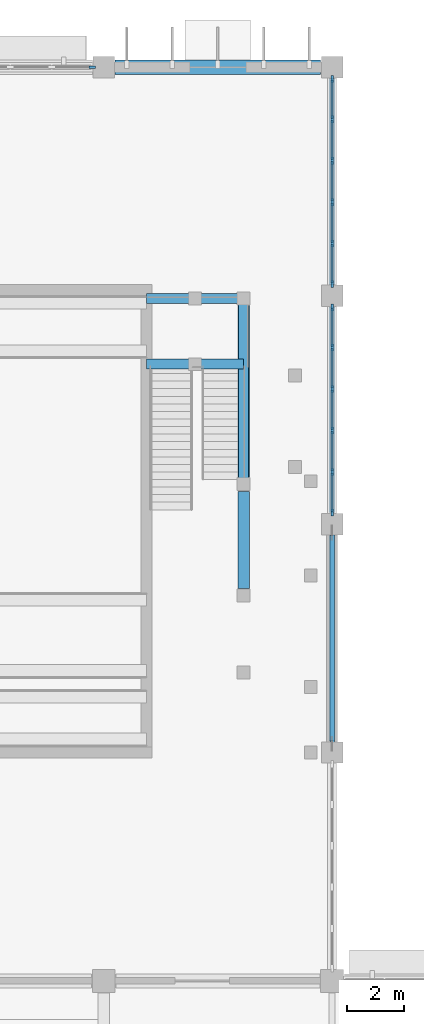
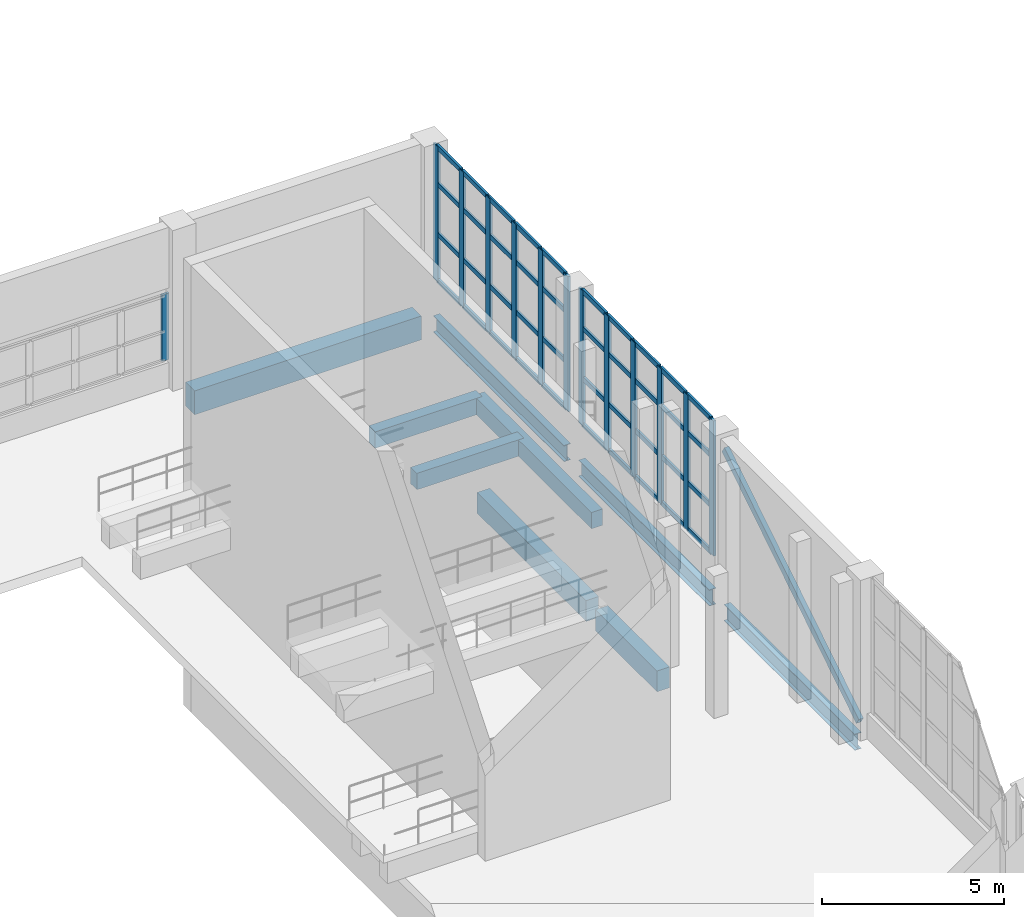
# One storey, part 36 of 103: 54 members, 9 beams, 3 elements without a shape of their own.
"""IFC4 building model written with IfcOpenShell, lengths in metres."""

from ifc_helpers import new_model, si_unit, direction, frame, origin, origin_2d, place, context, subcontext, project, spatial, rectangle, hollow_rectangle, i_section, extrude, material, layer, layer_set, material_profile, profile_set, type_object, element, aggregate, save


model = new_model("IFC4")

# Units and contexts
model_context = context("Model", 3, precision=1e-05, world=origin(), true_north=direction((0.0, 1.0)))
body_context = subcontext(model_context, "Body", "Model", "MODEL_VIEW")
ifc_project = project(units=[si_unit("LENGTHUNIT", "METRE"), si_unit("AREAUNIT", "SQUARE_METRE"), si_unit("VOLUMEUNIT", "CUBIC_METRE"), si_unit("PLANEANGLEUNIT", "RADIAN"), si_unit("MASSUNIT", "GRAM", prefix="KILO")], contexts=[model_context])

# Site, building, storey
site_placement = place(None, origin())
site = spatial("IfcSite", under=ifc_project, at=site_placement, CompositionType="ELEMENT")
building_placement = place(site_placement, origin())
building = spatial("IfcBuilding", under=site, at=building_placement, Name="Drelvana Railside Aquatics Centre", CompositionType="ELEMENT")
storey_placement = place(building_placement, origin())
storey = spatial("IfcBuildingStorey", under=building, at=storey_placement, Name="L00", CompositionType="ELEMENT", Elevation=0.0)

# Curtain wall, member
ifc_material_1 = material(Name="Bronze-anodised aluminium curtain wall", Category="aluminium")
ifc_layer_1 = layer(ifc_material_1, 0.199951171875, Name="Bronze-anodised aluminium curtain wall")
ifc_layer_set_1 = layer_set([ifc_layer_1], Name="Bronze-anodised aluminium curtain wall")
curtain_wall_type_1 = type_object("IfcCurtainWallType", Name="CW-Z1-SINE", PredefinedType="NOTDEFINED", material=ifc_layer_set_1)
curtain_wall_1_placement = place(storey_placement, origin())
curtain_wall_1 = element("IfcCurtainWall", 1, at=curtain_wall_1_placement, inside=storey, type_object=curtain_wall_type_1, Name="Curtain wall CW-01-037", PredefinedType="NOTDEFINED")
ifc_material_2 = material(Name="Bronze-anodised aluminium 6063-T6", Category="aluminium")
ifc_material_profile_1 = material_profile(ifc_material_2, rectangle(XDim=0.074951171875, YDim=0.22509765625, at=origin_2d()), Name="ALU-M 75x225")
ifc_profile_set_1 = profile_set([ifc_material_profile_1], Name="Bronze-anodised aluminium 6063-T6")
member_type_1 = type_object("IfcMemberType", Name="CW-Z1-SINE-MUL", PredefinedType="MULLION", material=ifc_profile_set_1)
member_1_placement = place(storey_placement, frame((63.593505859375, 116.0, 0.843994140625), z_axis=(0.0, 0.0, 1.0), x_axis=(0.0, 1.0, 0.0)))
member_1 = element("IfcMember", 2, at=member_1_placement, type_object=member_type_1, Name="CW-01 mullion 6", PredefinedType="MULLION", context=body_context, shape_type="SweptSolid", body=[
    extrude(rectangle(XDim=0.074951171875, YDim=0.22509765625, at=origin_2d()), origin(), (0.0, 0.0, 1.0), 2.236083984375),
])
aggregate(curtain_wall_1, [member_1])

# Curtain wall, members
ifc_layer_2 = layer(ifc_material_1, 0.2099609375, Name="Bronze-anodised aluminium curtain wall")
ifc_layer_set_2 = layer_set([ifc_layer_2], Name="Bronze-anodised aluminium curtain wall")
curtain_wall_type_2 = type_object("IfcCurtainWallType", Name="CW-Z7-DIVE", PredefinedType="NOTDEFINED", material=ifc_layer_set_2)
curtain_wall_2_placement = place(storey_placement, origin())
curtain_wall_2 = element("IfcCurtainWall", 3, at=curtain_wall_2_placement, inside=storey, type_object=curtain_wall_type_2, Name="Curtain wall CW-07-093", PredefinedType="NOTDEFINED")
ifc_material_profile_2 = material_profile(ifc_material_2, rectangle(XDim=0.080078125, YDim=0.25, at=origin_2d()), Name="ALU-M 80x250")
ifc_profile_set_2 = profile_set([ifc_material_profile_2], Name="Bronze-anodised aluminium 6063-T6")
member_type_2 = type_object("IfcMemberType", Name="CW-Z7-DIVE-MUL", PredefinedType="MULLION", material=ifc_profile_set_2)
member_2_placement = place(storey_placement, frame((72.0, 100.408935546875, 0.843994140625), z_axis=(0.0, 0.0, 1.0), x_axis=(-1.0, 0.0, 0.0)))
member_2 = element("IfcMember", 4, at=member_2_placement, type_object=member_type_2, Name="CW-07 mullion 1", PredefinedType="MULLION", context=body_context, shape_type="SweptSolid", body=[
    extrude(rectangle(XDim=0.080078125, YDim=0.25, at=origin_2d()), origin(), (0.0, 0.0, 1.0), 4.5458984375),
])
member_3_placement = place(storey_placement, frame((72.0, 101.8212890625, 0.843994140625), z_axis=(0.0, 0.0, 1.0), x_axis=(-1.0, 0.0, 0.0)))
member_3 = element("IfcMember", 5, at=member_3_placement, type_object=member_type_2, Name="CW-07 mullion 2", PredefinedType="MULLION", context=body_context, shape_type="SweptSolid", body=[
    extrude(rectangle(XDim=0.080078125, YDim=0.25, at=origin_2d()), origin(), (0.0, 0.0, 1.0), 4.5458984375),
])
member_4_placement = place(storey_placement, frame((72.0, 103.273681640625, 0.843994140625), z_axis=(0.0, 0.0, 1.0), x_axis=(-1.0, 0.0, 0.0)))
member_4 = element("IfcMember", 6, at=member_4_placement, type_object=member_type_2, Name="CW-07 mullion 3", PredefinedType="MULLION", context=body_context, shape_type="SweptSolid", body=[
    extrude(rectangle(XDim=0.080078125, YDim=0.25, at=origin_2d()), origin(), (0.0, 0.0, 1.0), 4.5458984375),
])
member_5_placement = place(storey_placement, frame((72.0, 104.726318359375, 0.843994140625), z_axis=(0.0, 0.0, 1.0), x_axis=(-1.0, 0.0, 0.0)))
member_5 = element("IfcMember", 7, at=member_5_placement, type_object=member_type_2, Name="CW-07 mullion 4", PredefinedType="MULLION", context=body_context, shape_type="SweptSolid", body=[
    extrude(rectangle(XDim=0.080078125, YDim=0.25, at=origin_2d()), origin(), (0.0, 0.0, 1.0), 4.5458984375),
])
member_6_placement = place(storey_placement, frame((72.0, 106.1787109375, 0.843994140625), z_axis=(0.0, 0.0, 1.0), x_axis=(-1.0, 0.0, 0.0)))
member_6 = element("IfcMember", 8, at=member_6_placement, type_object=member_type_2, Name="CW-07 mullion 5", PredefinedType="MULLION", context=body_context, shape_type="SweptSolid", body=[
    extrude(rectangle(XDim=0.080078125, YDim=0.25, at=origin_2d()), origin(), (0.0, 0.0, 1.0), 4.5458984375),
])
member_7_placement = place(storey_placement, frame((72.0, 107.591064453125, 0.843994140625), z_axis=(0.0, 0.0, 1.0), x_axis=(-1.0, 0.0, 0.0)))
member_7 = element("IfcMember", 9, at=member_7_placement, type_object=member_type_2, Name="CW-07 mullion 6", PredefinedType="MULLION", context=body_context, shape_type="SweptSolid", body=[
    extrude(rectangle(XDim=0.080078125, YDim=0.25, at=origin_2d()), origin(), (0.0, 0.0, 1.0), 4.5458984375),
])

curtain_wall_3_placement = place(storey_placement, origin())
curtain_wall_3 = element("IfcCurtainWall", 10, at=curtain_wall_3_placement, inside=storey, type_object=curtain_wall_type_2, Name="Curtain wall CW-07-096", PredefinedType="NOTDEFINED")
member_8_placement = place(storey_placement, frame((72.0, 108.408935546875, 0.843994140625), z_axis=(0.0, 0.0, 1.0), x_axis=(-1.0, 0.0, 0.0)))
member_8 = element("IfcMember", 11, at=member_8_placement, type_object=member_type_2, Name="CW-07 mullion 1", PredefinedType="MULLION", context=body_context, shape_type="SweptSolid", body=[
    extrude(rectangle(XDim=0.080078125, YDim=0.25, at=origin_2d()), origin(), (0.0, 0.0, 1.0), 4.5458984375),
])
member_9_placement = place(storey_placement, frame((72.0, 109.8212890625, 0.843994140625), z_axis=(0.0, 0.0, 1.0), x_axis=(-1.0, 0.0, 0.0)))
member_9 = element("IfcMember", 12, at=member_9_placement, type_object=member_type_2, Name="CW-07 mullion 2", PredefinedType="MULLION", context=body_context, shape_type="SweptSolid", body=[
    extrude(rectangle(XDim=0.080078125, YDim=0.25, at=origin_2d()), origin(), (0.0, 0.0, 1.0), 4.5458984375),
])
member_10_placement = place(storey_placement, frame((72.0, 111.273681640625, 0.843994140625), z_axis=(0.0, 0.0, 1.0), x_axis=(-1.0, 0.0, 0.0)))
member_10 = element("IfcMember", 13, at=member_10_placement, type_object=member_type_2, Name="CW-07 mullion 3", PredefinedType="MULLION", context=body_context, shape_type="SweptSolid", body=[
    extrude(rectangle(XDim=0.080078125, YDim=0.25, at=origin_2d()), origin(), (0.0, 0.0, 1.0), 4.5458984375),
])
member_11_placement = place(storey_placement, frame((72.0, 112.726318359375, 0.843994140625), z_axis=(0.0, 0.0, 1.0), x_axis=(-1.0, 0.0, 0.0)))
member_11 = element("IfcMember", 14, at=member_11_placement, type_object=member_type_2, Name="CW-07 mullion 4", PredefinedType="MULLION", context=body_context, shape_type="SweptSolid", body=[
    extrude(rectangle(XDim=0.080078125, YDim=0.25, at=origin_2d()), origin(), (0.0, 0.0, 1.0), 4.5458984375),
])
member_12_placement = place(storey_placement, frame((72.0, 114.1787109375, 0.843994140625), z_axis=(0.0, 0.0, 1.0), x_axis=(-1.0, 0.0, 0.0)))
member_12 = element("IfcMember", 15, at=member_12_placement, type_object=member_type_2, Name="CW-07 mullion 5", PredefinedType="MULLION", context=body_context, shape_type="SweptSolid", body=[
    extrude(rectangle(XDim=0.080078125, YDim=0.25, at=origin_2d()), origin(), (0.0, 0.0, 1.0), 4.5458984375),
])
member_13_placement = place(storey_placement, frame((72.0, 115.591064453125, 0.843994140625), z_axis=(0.0, 0.0, 1.0), x_axis=(-1.0, 0.0, 0.0)))
member_13 = element("IfcMember", 16, at=member_13_placement, type_object=member_type_2, Name="CW-07 mullion 6", PredefinedType="MULLION", context=body_context, shape_type="SweptSolid", body=[
    extrude(rectangle(XDim=0.080078125, YDim=0.25, at=origin_2d()), origin(), (0.0, 0.0, 1.0), 4.5458984375),
])

# Member
ifc_material_profile_3 = material_profile(ifc_material_2, rectangle(XDim=0.159912109375, YDim=0.070068359375, at=origin_2d()), Name="ALU-T 70x160")
ifc_profile_set_3 = profile_set([ifc_material_profile_3], Name="Bronze-anodised aluminium 6063-T6")
member_type_3 = type_object("IfcMemberType", Name="CW-Z7-DIVE-TRN", PredefinedType="USERDEFINED", material=ifc_profile_set_3)
member_14_placement = place(storey_placement, frame((72.0, 100.444091796875, 0.87890625), z_axis=(0.0, 1.0, 0.0), x_axis=(0.0, 0.0, 1.0)))
member_14 = element("IfcMember", 17, at=member_14_placement, type_object=member_type_3, Name="CW-07 transom 1.1", ObjectType="TRANSOM", PredefinedType="USERDEFINED", context=body_context, shape_type="SweptSolid", body=[
    extrude(rectangle(XDim=0.159912109375, YDim=0.070068359375, at=origin_2d()), origin(), (0.0, 0.0, 1.0), 1.34228515625),
])

member_15_placement = place(storey_placement, frame((72.0, 100.444091796875, 2.43505859375), z_axis=(0.0, 1.0, 0.0), x_axis=(0.0, 0.0, 1.0)))
member_15 = element("IfcMember", 18, at=member_15_placement, type_object=member_type_3, Name="CW-07 transom 1.2", ObjectType="TRANSOM", PredefinedType="USERDEFINED", context=body_context, shape_type="SweptSolid", body=[
    extrude(rectangle(XDim=0.159912109375, YDim=0.070068359375, at=origin_2d()), origin(), (0.0, 0.0, 1.0), 1.34228515625),
])

member_16_placement = place(storey_placement, frame((72.0, 100.444091796875, 4.116943359375), z_axis=(0.0, 1.0, 0.0), x_axis=(0.0, 0.0, 1.0)))
member_16 = element("IfcMember", 19, at=member_16_placement, type_object=member_type_3, Name="CW-07 transom 1.3", ObjectType="TRANSOM", PredefinedType="USERDEFINED", context=body_context, shape_type="SweptSolid", body=[
    extrude(rectangle(XDim=0.159912109375, YDim=0.070068359375, at=origin_2d()), origin(), (0.0, 0.0, 1.0), 1.34228515625),
])

member_17_placement = place(storey_placement, frame((72.0, 100.444091796875, 5.35498046875), z_axis=(0.0, 1.0, 0.0), x_axis=(0.0, 0.0, 1.0)))
member_17 = element("IfcMember", 20, at=member_17_placement, type_object=member_type_3, Name="CW-07 transom 1.4", ObjectType="TRANSOM", PredefinedType="USERDEFINED", context=body_context, shape_type="SweptSolid", body=[
    extrude(rectangle(XDim=0.159912109375, YDim=0.070068359375, at=origin_2d()), origin(), (0.0, 0.0, 1.0), 1.34228515625),
])

member_18_placement = place(storey_placement, frame((72.0, 101.8564453125, 0.87890625), z_axis=(0.0, 1.0, 0.0), x_axis=(0.0, 0.0, 1.0)))
member_18 = element("IfcMember", 21, at=member_18_placement, type_object=member_type_3, Name="CW-07 transom 2.1", ObjectType="TRANSOM", PredefinedType="USERDEFINED", context=body_context, shape_type="SweptSolid", body=[
    extrude(rectangle(XDim=0.159912109375, YDim=0.070068359375, at=origin_2d()), origin(), (0.0, 0.0, 1.0), 1.38232421875),
])

member_19_placement = place(storey_placement, frame((72.0, 101.8564453125, 2.43505859375), z_axis=(0.0, 1.0, 0.0), x_axis=(0.0, 0.0, 1.0)))
member_19 = element("IfcMember", 22, at=member_19_placement, type_object=member_type_3, Name="CW-07 transom 2.2", ObjectType="TRANSOM", PredefinedType="USERDEFINED", context=body_context, shape_type="SweptSolid", body=[
    extrude(rectangle(XDim=0.159912109375, YDim=0.070068359375, at=origin_2d()), origin(), (0.0, 0.0, 1.0), 1.38232421875),
])

member_20_placement = place(storey_placement, frame((72.0, 101.8564453125, 4.116943359375), z_axis=(0.0, 1.0, 0.0), x_axis=(0.0, 0.0, 1.0)))
member_20 = element("IfcMember", 23, at=member_20_placement, type_object=member_type_3, Name="CW-07 transom 2.3", ObjectType="TRANSOM", PredefinedType="USERDEFINED", context=body_context, shape_type="SweptSolid", body=[
    extrude(rectangle(XDim=0.159912109375, YDim=0.070068359375, at=origin_2d()), origin(), (0.0, 0.0, 1.0), 1.38232421875),
])

member_21_placement = place(storey_placement, frame((72.0, 101.8564453125, 5.35498046875), z_axis=(0.0, 1.0, 0.0), x_axis=(0.0, 0.0, 1.0)))
member_21 = element("IfcMember", 24, at=member_21_placement, type_object=member_type_3, Name="CW-07 transom 2.4", ObjectType="TRANSOM", PredefinedType="USERDEFINED", context=body_context, shape_type="SweptSolid", body=[
    extrude(rectangle(XDim=0.159912109375, YDim=0.070068359375, at=origin_2d()), origin(), (0.0, 0.0, 1.0), 1.38232421875),
])

member_22_placement = place(storey_placement, frame((72.0, 103.308837890625, 0.87890625), z_axis=(0.0, 1.0, 0.0), x_axis=(0.0, 0.0, 1.0)))
member_22 = element("IfcMember", 25, at=member_22_placement, type_object=member_type_3, Name="CW-07 transom 3.1", ObjectType="TRANSOM", PredefinedType="USERDEFINED", context=body_context, shape_type="SweptSolid", body=[
    extrude(rectangle(XDim=0.159912109375, YDim=0.070068359375, at=origin_2d()), origin(), (0.0, 0.0, 1.0), 1.38232421875),
])

member_23_placement = place(storey_placement, frame((72.0, 103.308837890625, 2.43505859375), z_axis=(0.0, 1.0, 0.0), x_axis=(0.0, 0.0, 1.0)))
member_23 = element("IfcMember", 26, at=member_23_placement, type_object=member_type_3, Name="CW-07 transom 3.2", ObjectType="TRANSOM", PredefinedType="USERDEFINED", context=body_context, shape_type="SweptSolid", body=[
    extrude(rectangle(XDim=0.159912109375, YDim=0.070068359375, at=origin_2d()), origin(), (0.0, 0.0, 1.0), 1.38232421875),
])

member_24_placement = place(storey_placement, frame((72.0, 103.308837890625, 4.116943359375), z_axis=(0.0, 1.0, 0.0), x_axis=(0.0, 0.0, 1.0)))
member_24 = element("IfcMember", 27, at=member_24_placement, type_object=member_type_3, Name="CW-07 transom 3.3", ObjectType="TRANSOM", PredefinedType="USERDEFINED", context=body_context, shape_type="SweptSolid", body=[
    extrude(rectangle(XDim=0.159912109375, YDim=0.070068359375, at=origin_2d()), origin(), (0.0, 0.0, 1.0), 1.38232421875),
])

member_25_placement = place(storey_placement, frame((72.0, 103.308837890625, 5.35498046875), z_axis=(0.0, 1.0, 0.0), x_axis=(0.0, 0.0, 1.0)))
member_25 = element("IfcMember", 28, at=member_25_placement, type_object=member_type_3, Name="CW-07 transom 3.4", ObjectType="TRANSOM", PredefinedType="USERDEFINED", context=body_context, shape_type="SweptSolid", body=[
    extrude(rectangle(XDim=0.159912109375, YDim=0.070068359375, at=origin_2d()), origin(), (0.0, 0.0, 1.0), 1.38232421875),
])

member_26_placement = place(storey_placement, frame((72.0, 104.76123046875, 0.87890625), z_axis=(0.0, 1.0, 0.0), x_axis=(0.0, 0.0, 1.0)))
member_26 = element("IfcMember", 29, at=member_26_placement, type_object=member_type_3, Name="CW-07 transom 4.1", ObjectType="TRANSOM", PredefinedType="USERDEFINED", context=body_context, shape_type="SweptSolid", body=[
    extrude(rectangle(XDim=0.159912109375, YDim=0.070068359375, at=origin_2d()), origin(), (0.0, 0.0, 1.0), 1.38232421875),
])

member_27_placement = place(storey_placement, frame((72.0, 104.76123046875, 2.43505859375), z_axis=(0.0, 1.0, 0.0), x_axis=(0.0, 0.0, 1.0)))
member_27 = element("IfcMember", 30, at=member_27_placement, type_object=member_type_3, Name="CW-07 transom 4.2", ObjectType="TRANSOM", PredefinedType="USERDEFINED", context=body_context, shape_type="SweptSolid", body=[
    extrude(rectangle(XDim=0.159912109375, YDim=0.070068359375, at=origin_2d()), origin(), (0.0, 0.0, 1.0), 1.38232421875),
])

member_28_placement = place(storey_placement, frame((72.0, 104.76123046875, 4.116943359375), z_axis=(0.0, 1.0, 0.0), x_axis=(0.0, 0.0, 1.0)))
member_28 = element("IfcMember", 31, at=member_28_placement, type_object=member_type_3, Name="CW-07 transom 4.3", ObjectType="TRANSOM", PredefinedType="USERDEFINED", context=body_context, shape_type="SweptSolid", body=[
    extrude(rectangle(XDim=0.159912109375, YDim=0.070068359375, at=origin_2d()), origin(), (0.0, 0.0, 1.0), 1.38232421875),
])

member_29_placement = place(storey_placement, frame((72.0, 104.76123046875, 5.35498046875), z_axis=(0.0, 1.0, 0.0), x_axis=(0.0, 0.0, 1.0)))
member_29 = element("IfcMember", 32, at=member_29_placement, type_object=member_type_3, Name="CW-07 transom 4.4", ObjectType="TRANSOM", PredefinedType="USERDEFINED", context=body_context, shape_type="SweptSolid", body=[
    extrude(rectangle(XDim=0.159912109375, YDim=0.070068359375, at=origin_2d()), origin(), (0.0, 0.0, 1.0), 1.38232421875),
])

member_30_placement = place(storey_placement, frame((72.0, 106.213623046875, 0.87890625), z_axis=(0.0, 1.0, 0.0), x_axis=(0.0, 0.0, 1.0)))
member_30 = element("IfcMember", 33, at=member_30_placement, type_object=member_type_3, Name="CW-07 transom 5.1", ObjectType="TRANSOM", PredefinedType="USERDEFINED", context=body_context, shape_type="SweptSolid", body=[
    extrude(rectangle(XDim=0.159912109375, YDim=0.070068359375, at=origin_2d()), origin(), (0.0, 0.0, 1.0), 1.34228515625),
])

member_31_placement = place(storey_placement, frame((72.0, 106.213623046875, 2.43505859375), z_axis=(0.0, 1.0, 0.0), x_axis=(0.0, 0.0, 1.0)))
member_31 = element("IfcMember", 34, at=member_31_placement, type_object=member_type_3, Name="CW-07 transom 5.2", ObjectType="TRANSOM", PredefinedType="USERDEFINED", context=body_context, shape_type="SweptSolid", body=[
    extrude(rectangle(XDim=0.159912109375, YDim=0.070068359375, at=origin_2d()), origin(), (0.0, 0.0, 1.0), 1.34228515625),
])

member_32_placement = place(storey_placement, frame((72.0, 106.213623046875, 4.116943359375), z_axis=(0.0, 1.0, 0.0), x_axis=(0.0, 0.0, 1.0)))
member_32 = element("IfcMember", 35, at=member_32_placement, type_object=member_type_3, Name="CW-07 transom 5.3", ObjectType="TRANSOM", PredefinedType="USERDEFINED", context=body_context, shape_type="SweptSolid", body=[
    extrude(rectangle(XDim=0.159912109375, YDim=0.070068359375, at=origin_2d()), origin(), (0.0, 0.0, 1.0), 1.34228515625),
])

member_33_placement = place(storey_placement, frame((72.0, 106.213623046875, 5.35498046875), z_axis=(0.0, 1.0, 0.0), x_axis=(0.0, 0.0, 1.0)))
member_33 = element("IfcMember", 36, at=member_33_placement, type_object=member_type_3, Name="CW-07 transom 5.4", ObjectType="TRANSOM", PredefinedType="USERDEFINED", context=body_context, shape_type="SweptSolid", body=[
    extrude(rectangle(XDim=0.159912109375, YDim=0.070068359375, at=origin_2d()), origin(), (0.0, 0.0, 1.0), 1.34228515625),
])

aggregate(curtain_wall_2, [member_2, member_3, member_4, member_5, member_6, member_7, member_14, member_15, member_16, member_17, member_18, member_19, member_20, member_21, member_22, member_23, member_24, member_25, member_26, member_27, member_28, member_29, member_30, member_31, member_32, member_33])

member_34_placement = place(storey_placement, frame((72.0, 108.444091796875, 0.87890625), z_axis=(0.0, 1.0, 0.0), x_axis=(0.0, 0.0, 1.0)))
member_34 = element("IfcMember", 37, at=member_34_placement, type_object=member_type_3, Name="CW-07 transom 1.1", ObjectType="TRANSOM", PredefinedType="USERDEFINED", context=body_context, shape_type="SweptSolid", body=[
    extrude(rectangle(XDim=0.159912109375, YDim=0.070068359375, at=origin_2d()), origin(), (0.0, 0.0, 1.0), 1.34228515625),
])

member_35_placement = place(storey_placement, frame((72.0, 108.444091796875, 2.43505859375), z_axis=(0.0, 1.0, 0.0), x_axis=(0.0, 0.0, 1.0)))
member_35 = element("IfcMember", 38, at=member_35_placement, type_object=member_type_3, Name="CW-07 transom 1.2", ObjectType="TRANSOM", PredefinedType="USERDEFINED", context=body_context, shape_type="SweptSolid", body=[
    extrude(rectangle(XDim=0.159912109375, YDim=0.070068359375, at=origin_2d()), origin(), (0.0, 0.0, 1.0), 1.34228515625),
])

member_36_placement = place(storey_placement, frame((72.0, 108.444091796875, 4.116943359375), z_axis=(0.0, 1.0, 0.0), x_axis=(0.0, 0.0, 1.0)))
member_36 = element("IfcMember", 39, at=member_36_placement, type_object=member_type_3, Name="CW-07 transom 1.3", ObjectType="TRANSOM", PredefinedType="USERDEFINED", context=body_context, shape_type="SweptSolid", body=[
    extrude(rectangle(XDim=0.159912109375, YDim=0.070068359375, at=origin_2d()), origin(), (0.0, 0.0, 1.0), 1.34228515625),
])

member_37_placement = place(storey_placement, frame((72.0, 108.444091796875, 5.35498046875), z_axis=(0.0, 1.0, 0.0), x_axis=(0.0, 0.0, 1.0)))
member_37 = element("IfcMember", 40, at=member_37_placement, type_object=member_type_3, Name="CW-07 transom 1.4", ObjectType="TRANSOM", PredefinedType="USERDEFINED", context=body_context, shape_type="SweptSolid", body=[
    extrude(rectangle(XDim=0.159912109375, YDim=0.070068359375, at=origin_2d()), origin(), (0.0, 0.0, 1.0), 1.34228515625),
])

member_38_placement = place(storey_placement, frame((72.0, 109.8564453125, 0.87890625), z_axis=(0.0, 1.0, 0.0), x_axis=(0.0, 0.0, 1.0)))
member_38 = element("IfcMember", 41, at=member_38_placement, type_object=member_type_3, Name="CW-07 transom 2.1", ObjectType="TRANSOM", PredefinedType="USERDEFINED", context=body_context, shape_type="SweptSolid", body=[
    extrude(rectangle(XDim=0.159912109375, YDim=0.070068359375, at=origin_2d()), origin(), (0.0, 0.0, 1.0), 1.38232421875),
])

member_39_placement = place(storey_placement, frame((72.0, 109.8564453125, 2.43505859375), z_axis=(0.0, 1.0, 0.0), x_axis=(0.0, 0.0, 1.0)))
member_39 = element("IfcMember", 42, at=member_39_placement, type_object=member_type_3, Name="CW-07 transom 2.2", ObjectType="TRANSOM", PredefinedType="USERDEFINED", context=body_context, shape_type="SweptSolid", body=[
    extrude(rectangle(XDim=0.159912109375, YDim=0.070068359375, at=origin_2d()), origin(), (0.0, 0.0, 1.0), 1.38232421875),
])

member_40_placement = place(storey_placement, frame((72.0, 109.8564453125, 4.116943359375), z_axis=(0.0, 1.0, 0.0), x_axis=(0.0, 0.0, 1.0)))
member_40 = element("IfcMember", 43, at=member_40_placement, type_object=member_type_3, Name="CW-07 transom 2.3", ObjectType="TRANSOM", PredefinedType="USERDEFINED", context=body_context, shape_type="SweptSolid", body=[
    extrude(rectangle(XDim=0.159912109375, YDim=0.070068359375, at=origin_2d()), origin(), (0.0, 0.0, 1.0), 1.38232421875),
])

member_41_placement = place(storey_placement, frame((72.0, 109.8564453125, 5.35498046875), z_axis=(0.0, 1.0, 0.0), x_axis=(0.0, 0.0, 1.0)))
member_41 = element("IfcMember", 44, at=member_41_placement, type_object=member_type_3, Name="CW-07 transom 2.4", ObjectType="TRANSOM", PredefinedType="USERDEFINED", context=body_context, shape_type="SweptSolid", body=[
    extrude(rectangle(XDim=0.159912109375, YDim=0.070068359375, at=origin_2d()), origin(), (0.0, 0.0, 1.0), 1.38232421875),
])

member_42_placement = place(storey_placement, frame((72.0, 111.308837890625, 0.87890625), z_axis=(0.0, 1.0, 0.0), x_axis=(0.0, 0.0, 1.0)))
member_42 = element("IfcMember", 45, at=member_42_placement, type_object=member_type_3, Name="CW-07 transom 3.1", ObjectType="TRANSOM", PredefinedType="USERDEFINED", context=body_context, shape_type="SweptSolid", body=[
    extrude(rectangle(XDim=0.159912109375, YDim=0.070068359375, at=origin_2d()), origin(), (0.0, 0.0, 1.0), 1.38232421875),
])

member_43_placement = place(storey_placement, frame((72.0, 111.308837890625, 2.43505859375), z_axis=(0.0, 1.0, 0.0), x_axis=(0.0, 0.0, 1.0)))
member_43 = element("IfcMember", 46, at=member_43_placement, type_object=member_type_3, Name="CW-07 transom 3.2", ObjectType="TRANSOM", PredefinedType="USERDEFINED", context=body_context, shape_type="SweptSolid", body=[
    extrude(rectangle(XDim=0.159912109375, YDim=0.070068359375, at=origin_2d()), origin(), (0.0, 0.0, 1.0), 1.38232421875),
])

member_44_placement = place(storey_placement, frame((72.0, 111.308837890625, 4.116943359375), z_axis=(0.0, 1.0, 0.0), x_axis=(0.0, 0.0, 1.0)))
member_44 = element("IfcMember", 47, at=member_44_placement, type_object=member_type_3, Name="CW-07 transom 3.3", ObjectType="TRANSOM", PredefinedType="USERDEFINED", context=body_context, shape_type="SweptSolid", body=[
    extrude(rectangle(XDim=0.159912109375, YDim=0.070068359375, at=origin_2d()), origin(), (0.0, 0.0, 1.0), 1.38232421875),
])

member_45_placement = place(storey_placement, frame((72.0, 111.308837890625, 5.35498046875), z_axis=(0.0, 1.0, 0.0), x_axis=(0.0, 0.0, 1.0)))
member_45 = element("IfcMember", 48, at=member_45_placement, type_object=member_type_3, Name="CW-07 transom 3.4", ObjectType="TRANSOM", PredefinedType="USERDEFINED", context=body_context, shape_type="SweptSolid", body=[
    extrude(rectangle(XDim=0.159912109375, YDim=0.070068359375, at=origin_2d()), origin(), (0.0, 0.0, 1.0), 1.38232421875),
])

member_46_placement = place(storey_placement, frame((72.0, 112.76123046875, 0.87890625), z_axis=(0.0, 1.0, 0.0), x_axis=(0.0, 0.0, 1.0)))
member_46 = element("IfcMember", 49, at=member_46_placement, type_object=member_type_3, Name="CW-07 transom 4.1", ObjectType="TRANSOM", PredefinedType="USERDEFINED", context=body_context, shape_type="SweptSolid", body=[
    extrude(rectangle(XDim=0.159912109375, YDim=0.070068359375, at=origin_2d()), origin(), (0.0, 0.0, 1.0), 1.38232421875),
])

member_47_placement = place(storey_placement, frame((72.0, 112.76123046875, 2.43505859375), z_axis=(0.0, 1.0, 0.0), x_axis=(0.0, 0.0, 1.0)))
member_47 = element("IfcMember", 50, at=member_47_placement, type_object=member_type_3, Name="CW-07 transom 4.2", ObjectType="TRANSOM", PredefinedType="USERDEFINED", context=body_context, shape_type="SweptSolid", body=[
    extrude(rectangle(XDim=0.159912109375, YDim=0.070068359375, at=origin_2d()), origin(), (0.0, 0.0, 1.0), 1.38232421875),
])

member_48_placement = place(storey_placement, frame((72.0, 112.76123046875, 4.116943359375), z_axis=(0.0, 1.0, 0.0), x_axis=(0.0, 0.0, 1.0)))
member_48 = element("IfcMember", 51, at=member_48_placement, type_object=member_type_3, Name="CW-07 transom 4.3", ObjectType="TRANSOM", PredefinedType="USERDEFINED", context=body_context, shape_type="SweptSolid", body=[
    extrude(rectangle(XDim=0.159912109375, YDim=0.070068359375, at=origin_2d()), origin(), (0.0, 0.0, 1.0), 1.38232421875),
])

member_49_placement = place(storey_placement, frame((72.0, 112.76123046875, 5.35498046875), z_axis=(0.0, 1.0, 0.0), x_axis=(0.0, 0.0, 1.0)))
member_49 = element("IfcMember", 52, at=member_49_placement, type_object=member_type_3, Name="CW-07 transom 4.4", ObjectType="TRANSOM", PredefinedType="USERDEFINED", context=body_context, shape_type="SweptSolid", body=[
    extrude(rectangle(XDim=0.159912109375, YDim=0.070068359375, at=origin_2d()), origin(), (0.0, 0.0, 1.0), 1.38232421875),
])

member_50_placement = place(storey_placement, frame((72.0, 114.213623046875, 0.87890625), z_axis=(0.0, 1.0, 0.0), x_axis=(0.0, 0.0, 1.0)))
member_50 = element("IfcMember", 53, at=member_50_placement, type_object=member_type_3, Name="CW-07 transom 5.1", ObjectType="TRANSOM", PredefinedType="USERDEFINED", context=body_context, shape_type="SweptSolid", body=[
    extrude(rectangle(XDim=0.159912109375, YDim=0.070068359375, at=origin_2d()), origin(), (0.0, 0.0, 1.0), 1.34228515625),
])

member_51_placement = place(storey_placement, frame((72.0, 114.213623046875, 2.43505859375), z_axis=(0.0, 1.0, 0.0), x_axis=(0.0, 0.0, 1.0)))
member_51 = element("IfcMember", 54, at=member_51_placement, type_object=member_type_3, Name="CW-07 transom 5.2", ObjectType="TRANSOM", PredefinedType="USERDEFINED", context=body_context, shape_type="SweptSolid", body=[
    extrude(rectangle(XDim=0.159912109375, YDim=0.070068359375, at=origin_2d()), origin(), (0.0, 0.0, 1.0), 1.34228515625),
])

member_52_placement = place(storey_placement, frame((72.0, 114.213623046875, 4.116943359375), z_axis=(0.0, 1.0, 0.0), x_axis=(0.0, 0.0, 1.0)))
member_52 = element("IfcMember", 55, at=member_52_placement, type_object=member_type_3, Name="CW-07 transom 5.3", ObjectType="TRANSOM", PredefinedType="USERDEFINED", context=body_context, shape_type="SweptSolid", body=[
    extrude(rectangle(XDim=0.159912109375, YDim=0.070068359375, at=origin_2d()), origin(), (0.0, 0.0, 1.0), 1.34228515625),
])

member_53_placement = place(storey_placement, frame((72.0, 114.213623046875, 5.35498046875), z_axis=(0.0, 1.0, 0.0), x_axis=(0.0, 0.0, 1.0)))
member_53 = element("IfcMember", 56, at=member_53_placement, type_object=member_type_3, Name="CW-07 transom 5.4", ObjectType="TRANSOM", PredefinedType="USERDEFINED", context=body_context, shape_type="SweptSolid", body=[
    extrude(rectangle(XDim=0.159912109375, YDim=0.070068359375, at=origin_2d()), origin(), (0.0, 0.0, 1.0), 1.34228515625),
])

aggregate(curtain_wall_3, [member_8, member_9, member_10, member_11, member_12, member_13, member_34, member_35, member_36, member_37, member_38, member_39, member_40, member_41, member_42, member_43, member_44, member_45, member_46, member_47, member_48, member_49, member_50, member_51, member_52, member_53])

# Beams
ifc_material_3 = material(Name="Concrete C40/50", Category="concrete")
ifc_material_profile_4 = material_profile(ifc_material_3, rectangle(XDim=0.35009765625, YDim=0.550048828125, at=origin_2d()), Name="RC 350x550")
ifc_profile_set_4 = profile_set([ifc_material_profile_4], Name="Concrete C40/50")
beam_type_1 = type_object("IfcBeamType", Name="STR-BM-BM-01-RC-350x550", PredefinedType="BEAM", material=ifc_profile_set_4)
beam_1_placement = place(storey_placement, frame((68.89990234375, 101.39990234375, 2.5), z_axis=(0.0, 1.0, 0.0), x_axis=(-1.0, 0.0, 0.0)))
element("IfcBeam", 57, at=beam_1_placement, inside=storey, type_object=beam_type_1, Name="Diving stair landing beam 1", PredefinedType="BEAM", context=body_context, shape_type="SweptSolid", body=[
    extrude(rectangle(XDim=0.35009765625, YDim=0.550048828125, at=origin_2d()), origin(), (0.0, 0.0, 1.0), 6.5),
])
for number, where, z_axis, x_axis, name in (
    (58, (65.5, 105.60009765625, 2.5), (1.0, 0.0, 0.0), (0.0, 1.0, 0.0), "Diving stair landing beam 2"),
    (59, (65.5, 107.89990234375, 2.5), (1.0, 0.0, 0.0), (0.0, 1.0, 0.0), "Diving stair landing beam 3"),
):
    element("IfcBeam", number, at=place(storey_placement, frame(where, z_axis=z_axis, x_axis=x_axis)), inside=storey, type_object=beam_type_1, Name=name, PredefinedType="BEAM", context=body_context, shape_type="SweptSolid", body=[
        extrude(rectangle(XDim=0.35009765625, YDim=0.550048828125, at=origin_2d()), origin(), (0.0, 0.0, 1.0), 3.39990234375),
    ])
ifc_material_profile_5 = material_profile(ifc_material_3, rectangle(XDim=0.39990234375, YDim=0.699951171875, at=origin_2d()), Name="RC 400x700")
ifc_profile_set_5 = profile_set([ifc_material_profile_5], Name="Concrete C40/50")
beam_type_2 = type_object("IfcBeamType", Name="STR-BM-BM-03-RC-400x700", PredefinedType="BEAM", material=ifc_profile_set_5)
beam_2_placement = place(storey_placement, frame((68.89990234375, 97.75, -0.679931640625), z_axis=(0.0, 1.0, 0.0), x_axis=(-1.0, 0.0, 0.0)))
element("IfcBeam", 60, at=beam_2_placement, inside=storey, type_object=beam_type_2, Name="Girder BM-03 (L00)", PredefinedType="BEAM", context=body_context, shape_type="SweptSolid", body=[
    extrude(rectangle(XDim=0.39990234375, YDim=0.699951171875, at=origin_2d()), origin(), (0.0, 0.0, 1.0), 3.39990234375),
])
beam_3_placement = place(storey_placement, frame((68.89990234375, 101.64990234375, -0.679931640625), z_axis=(0.0, 1.0, 0.0), x_axis=(-1.0, 0.0, 0.0)))
element("IfcBeam", 61, at=beam_3_placement, inside=storey, type_object=beam_type_2, Name="Girder BM-03 (L00)", PredefinedType="BEAM", context=body_context, shape_type="SweptSolid", body=[
    extrude(rectangle(XDim=0.39990234375, YDim=0.699951171875, at=origin_2d()), origin(), (0.0, 0.0, 1.0), 6.0),
])
ifc_material_profile_6 = material_profile(ifc_material_3, rectangle(XDim=0.5, YDim=0.800048828125, at=origin_2d()), Name="RC 500x800")
ifc_profile_set_6 = profile_set([ifc_material_profile_6], Name="Concrete C40/50")
beam_type_3 = type_object("IfcBeamType", Name="STR-BM-BM-06-RC-500x800", PredefinedType="SPANDREL", material=ifc_profile_set_6)
beam_4_placement = place(storey_placement, frame((64.39990234375, 116.0, -0.72998046875), z_axis=(1.0, 0.0, 0.0), x_axis=(0.0, 1.0, 0.0)))
element("IfcBeam", 62, at=beam_4_placement, inside=storey, type_object=beam_type_3, Name="Girder BM-06 (L00)", PredefinedType="SPANDREL", context=body_context, shape_type="SweptSolid", body=[
    extrude(rectangle(XDim=0.5, YDim=0.800048828125, at=origin_2d()), origin(), (0.0, 0.0, 1.0), 7.2001953125),
])

# Member
ifc_material_4 = material(Name="Structural steel S355", Category="steel")
ifc_material_profile_7 = material_profile(ifc_material_4, hollow_rectangle(XDim=0.14990234375, YDim=0.25, WallThickness=0.010009765625, at=origin_2d()), Name="RHS 250x150x10")
ifc_profile_set_7 = profile_set([ifc_material_profile_7], Name="Structural steel S355")
member_type_4 = type_object("IfcMemberType", Name="STR-MBR-BR-05", PredefinedType="BRACE", material=ifc_profile_set_7)
member_54_placement = place(storey_placement, frame((72.0, 92.300048828125, 0.14990234375), z_axis=(0.0, 0.846699473913, 0.5320714246), x_axis=(-1.0, 0.0, 0.0)))
element("IfcMember", 63, at=member_54_placement, inside=storey, type_object=member_type_4, Name="Lateral frame brace BR-05 (L00)", PredefinedType="BRACE", context=body_context, shape_type="SweptSolid", body=[
    extrude(hollow_rectangle(XDim=0.14990234375, YDim=0.25, WallThickness=0.010009765625, at=origin_2d()), origin(), (0.0, 0.0, 1.0), 8.73974609375),
])

# Beams
ifc_material_profile_8 = material_profile(ifc_material_4, i_section(OverallWidth=0.2099609375, OverallDepth=0.550048828125, WebThickness=0.010986328125, FlangeThickness=0.01708984375, at=origin_2d()), Name="IPE 550")
ifc_profile_set_8 = profile_set([ifc_material_profile_8], Name="Structural steel S355")
beam_type_4 = type_object("IfcBeamType", Name="STR-SBM-SB-04-IPE-550", PredefinedType="SPANDREL", material=ifc_profile_set_8)
for number, where, z_axis, x_axis, name in (
    (64, (72.0, 92.39990234375, -0.60498046875), (0.0, 1.0, 0.0), (-1.0, 0.0, 0.0), "Girder SB-04 (L00)"),
    (65, (72.0, 100.39990234375, -0.60498046875), (0.0, 1.0, 0.0), (-1.0, 0.0, 0.0), "Girder SB-04 (L00)"),
    (66, (72.0, 108.39990234375, -0.60498046875), (0.0, 1.0, 0.0), (-1.0, 0.0, 0.0), "Girder SB-04 (L00)"),
):
    element("IfcBeam", number, at=place(storey_placement, frame(where, z_axis=z_axis, x_axis=x_axis)), inside=storey, type_object=beam_type_4, Name=name, PredefinedType="SPANDREL", context=body_context, shape_type="SweptSolid", body=[
        extrude(i_section(OverallWidth=0.2099609375, OverallDepth=0.550048828125, WebThickness=0.010986328125, FlangeThickness=0.01708984375, at=origin_2d()), origin(), (0.0, 0.0, 1.0), 7.2001953125),
    ])

save(model, "model.ifc")
